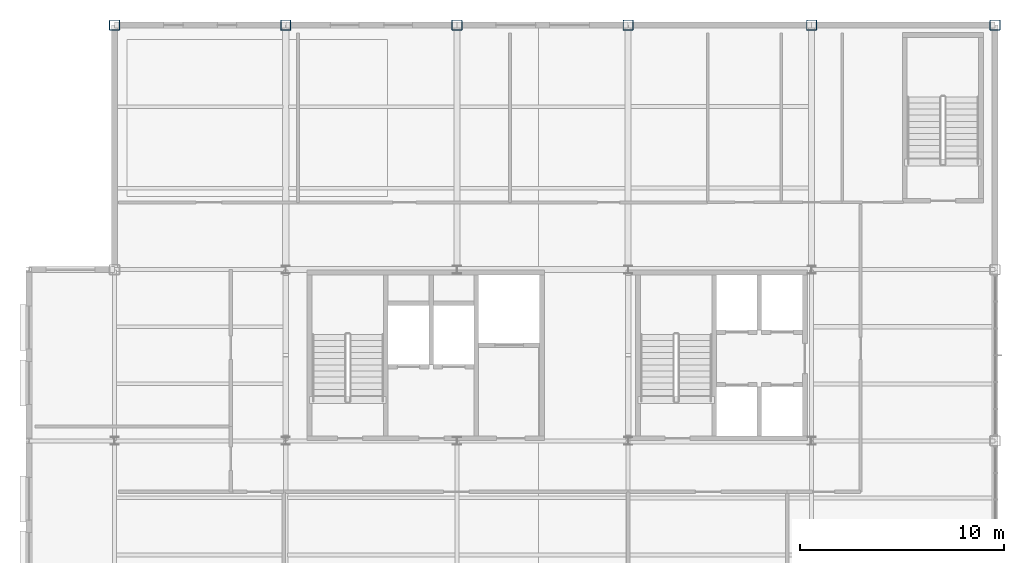
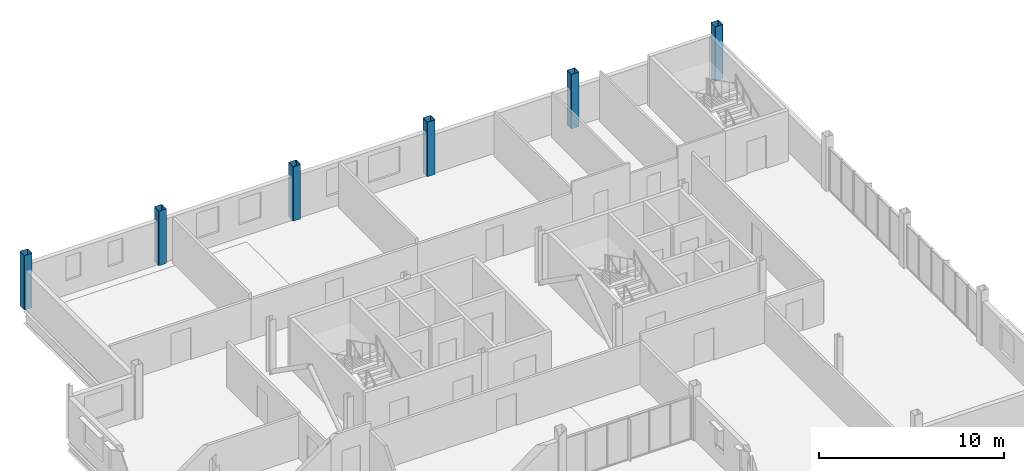
# One storey, part 4 of 20: 6 columns.
"""IFC4 building model written with IfcOpenShell, lengths in metres."""

from ifc_helpers import new_model, si_unit, direction, frame, origin, origin_2d, place, context, subcontext, project, spatial, hollow_rectangle, extrude, material, material_profile, profile_set, type_object, element, save


model = new_model("IFC4")

# Units and contexts
model_context = context("Model", 3, precision=1e-05, world=origin(), true_north=direction((0.0, 1.0)))
body_context = subcontext(model_context, "Body", "Model", "MODEL_VIEW")
ifc_project = project(units=[si_unit("LENGTHUNIT", "METRE"), si_unit("AREAUNIT", "SQUARE_METRE"), si_unit("VOLUMEUNIT", "CUBIC_METRE"), si_unit("PLANEANGLEUNIT", "RADIAN"), si_unit("MASSUNIT", "GRAM", prefix="KILO")], contexts=[model_context])

# Site, building, storey
site_placement = place(None, origin())
site = spatial("IfcSite", under=ifc_project, at=site_placement, CompositionType="ELEMENT")
building_placement = place(site_placement, origin())
building = spatial("IfcBuilding", under=site, at=building_placement, Name="Yukiwa Park Conservatory and Herbarium", CompositionType="ELEMENT")
storey_placement = place(building_placement, frame((0.0, 0.0, 28.199951171875)))
storey = spatial("IfcBuildingStorey", under=building, at=storey_placement, Name="L07", CompositionType="ELEMENT", Elevation=28.199951171875)

# Columns
ifc_material = material(Name="Steel Q355D", Category="steel")
ifc_material_profile = material_profile(ifc_material, hollow_rectangle(XDim=0.5, YDim=0.5, WallThickness=0.02001953125, InnerFilletRadius=0.02001953125, OuterFilletRadius=0.0400390625, at=origin_2d()), Name="BOX 500x500x20")
ifc_profile_set = profile_set([ifc_material_profile], Name="Steel Q355D")
column_type = type_object("IfcColumnType", Name="COL-TW-BOX500-EXT", PredefinedType="COLUMN", material=ifc_profile_set)
for number, where, z_axis, x_axis, name in (
    (1, (124.800048828125, 115.199951171875, 0.0), (0.0, 0.0, 1.0), (1.0, 0.0, 0.0), "L07 column V5-X1248-Y1152"),
    (2, (133.199951171875, 115.199951171875, 0.0), (0.0, 0.0, 1.0), (1.0, 0.0, 0.0), "L07 column V5-X1332-Y1152"),
    (3, (141.60009765625, 115.199951171875, 0.0), (0.0, 0.0, 1.0), (1.0, 0.0, 0.0), "L07 column V5-X1416-Y1152"),
    (4, (150.0, 115.199951171875, 0.0), (0.0, 0.0, 1.0), (1.0, 0.0, 0.0), "L07 column V5-X1500-Y1152"),
    (5, (159.0, 115.199951171875, 0.0), (0.0, 0.0, 1.0), (1.0, 0.0, 0.0), "L07 column V5-X1590-Y1152"),
    (6, (168.0, 115.199951171875, 0.0), (0.0, 0.0, 1.0), (1.0, 0.0, 0.0), "L07 column V5-X1680-Y1152"),
):
    element("IfcColumn", number, at=place(storey_placement, frame(where, z_axis=z_axis, x_axis=x_axis)), inside=storey, type_object=column_type, Name=name, PredefinedType="COLUMN", context=body_context, shape_type="SweptSolid", body=[
        extrude(hollow_rectangle(XDim=0.5, YDim=0.5, WallThickness=0.02001953125, InnerFilletRadius=0.02001953125, OuterFilletRadius=0.0400390625, at=origin_2d()), origin(), (0.0, 0.0, 1.0), 3.60009765625),
    ])

save(model, "model.ifc")
